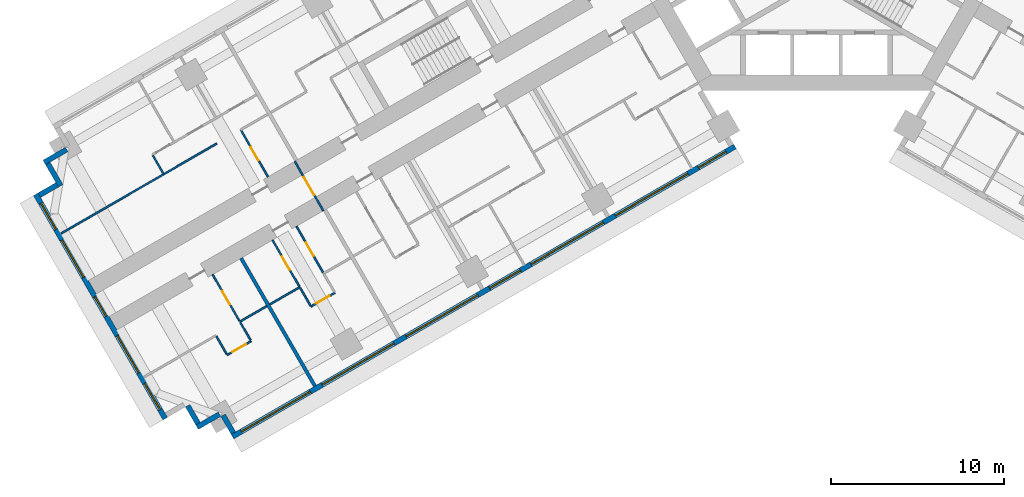
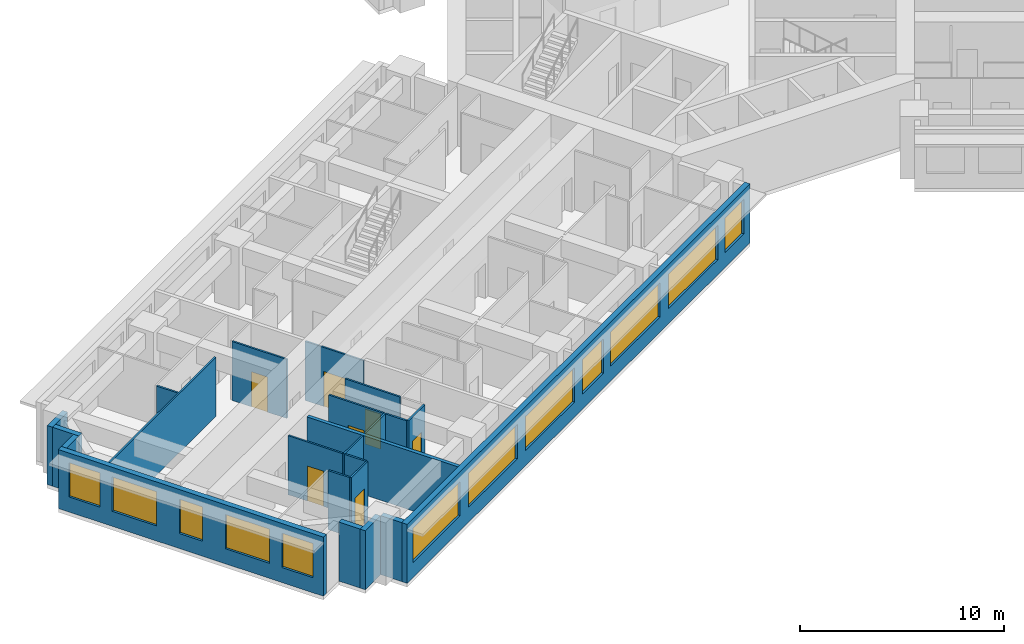
# One storey, part 3 of 16: 23 walls, 12 windows, 7 doors, 19 openings.
"""IFC4 building model written with IfcOpenShell, lengths in metres."""

import ifcopenshell
import ifcopenshell.guid

model = None  # the IFC model being written
_history = None  # IfcOwnerHistory: only IFC2X3 demands one
_inside = {}  # id of a spatial element -> (the spatial element, [elements in it])
_under = {}  # id of a project, library or spatial element -> (it, [spatial elements below it])
_declared = {}  # id of a project -> (the project, [libraries it declares])
_typed = {}  # id of a type object -> (the type object, [elements of that type])
_made_of = {}  # id of a material, layer set ... -> (it, [elements and type objects made of it])


def new_model(schema):
    """Start an empty IFC model of exactly this schema.

    Asked for "IFC4X3", IfcOpenShell would pick the latest addendum, in which some entities
    have other attributes; the version numbers below select the first issue.
    IFC2X3 requires an IfcOwnerHistory on every rooted entity: one is made here for all.
    """
    global model, _history
    if schema == "IFC4X3":
        model = ifcopenshell.file(schema_version=(4, 3, 0, 0))
    else:
        model = ifcopenshell.file(schema=schema)
    _inside.clear()
    _under.clear()
    _declared.clear()
    _typed.clear()
    _made_of.clear()
    _history = None
    if model.schema == "IFC2X3":
        org = make("IfcOrganization", Name="unknown")
        user = make(
            "IfcPersonAndOrganization",
            ThePerson=make("IfcPerson", FamilyName="unknown"),
            TheOrganization=org,
        )
        app = make(
            "IfcApplication",
            ApplicationDeveloper=org,
            Version="unknown",
            ApplicationFullName="unknown",
            ApplicationIdentifier="unknown",
        )
        _history = make(
            "IfcOwnerHistory",
            OwningUser=user,
            OwningApplication=app,
            ChangeAction="ADDED",
            CreationDate=0,
        )
    return model


def make(cls, **values):
    """One entity of the class cls with the attributes given. An attribute that is None is left unset."""
    return model.create_entity(
        cls, **{name: value for name, value in values.items() if value is not None}
    )


def rooted(cls, **values):
    """An entity with a GlobalId (a new one), such as an element, a storey or a relation."""
    return make(cls, GlobalId=ifcopenshell.guid.new(), OwnerHistory=_history, **values)


def si_unit(unit_type, name, prefix=None):
    """IfcSIUnit, for example si_unit("LENGTHUNIT", "METRE", prefix="MILLI")."""
    return make("IfcSIUnit", UnitType=unit_type, Prefix=prefix, Name=name)


def assignment(units):
    """IfcUnitAssignment: the units of a project."""
    return None if units is None else make("IfcUnitAssignment", Units=units)


def point(xyz):
    """IfcCartesianPoint."""
    return None if xyz is None else make("IfcCartesianPoint", Coordinates=xyz)


def direction(xyz):
    """IfcDirection."""
    return None if xyz is None else make("IfcDirection", DirectionRatios=xyz)


def frame(location, z_axis=None, x_axis=None):
    """IfcAxis2Placement3D, a coordinate frame: its origin and axes. An axis left out is left unset."""
    return make(
        "IfcAxis2Placement3D",
        Location=point(location),
        Axis=direction(z_axis),
        RefDirection=direction(x_axis),
    )


def frame_2d(location, x_axis=None):
    """IfcAxis2Placement2D, a coordinate frame in the plane: its origin and x axis."""
    return make(
        "IfcAxis2Placement2D", Location=point(location), RefDirection=direction(x_axis)
    )


def origin():
    """The frame at (0, 0, 0) with its axes left unset."""
    return frame((0.0, 0.0, 0.0))


def place(relative_to, where):
    """IfcLocalPlacement: puts the frame where relative to a parent placement (None: the world)."""
    return make(
        "IfcLocalPlacement", PlacementRelTo=relative_to, RelativePlacement=where
    )


def context(
    kind, dimensions, precision=None, world=None, true_north=None, identifier=None
):
    """IfcGeometricRepresentationContext, for example the 3D "Model" context."""
    return make(
        "IfcGeometricRepresentationContext",
        ContextIdentifier=identifier,
        ContextType=kind,
        CoordinateSpaceDimension=dimensions,
        Precision=precision,
        WorldCoordinateSystem=world,
        TrueNorth=true_north,
    )


def subcontext(parent, identifier, kind, view, scale=None):
    """IfcGeometricRepresentationSubContext, for example "Body" below "Model"."""
    return make(
        "IfcGeometricRepresentationSubContext",
        ContextIdentifier=identifier,
        ContextType=kind,
        ParentContext=parent,
        TargetScale=scale,
        TargetView=view,
    )


def project(units=None, contexts=None):
    """IfcProject with its units and contexts."""
    return rooted(
        "IfcProject",
        Name="project",
        RepresentationContexts=contexts,
        UnitsInContext=assignment(units),
    )


def spatial(cls, under=None, at=None, **own):
    """A site, building, storey or space (cls), placed at a placement, below another one or the project."""
    s = rooted(cls, ObjectPlacement=at, **own)
    if under is not None:
        _under.setdefault(under.id(), (under, []))[1].append(s)
    return s


def profile(cls, at=None, kind="AREA", **sizes):
    """A parametric profile (cls). Its sizes go by their IFC names, for example OverallWidth=200.0."""
    return make(cls, ProfileType=kind, Position=at, **sizes)


def rectangle(**sizes):
    """IfcRectangleProfileDef."""
    return profile("IfcRectangleProfileDef", **sizes)


def extrude(swept, where, along, depth):
    """IfcExtrudedAreaSolid: the profile swept, set in the frame where, extruded along a direction by depth."""
    return make(
        "IfcExtrudedAreaSolid",
        SweptArea=swept,
        Position=where,
        ExtrudedDirection=direction(along),
        Depth=depth,
    )


def shape(context_of_items, identifier, shape_type, items):
    """IfcShapeRepresentation: the items that make up one representation, for example the "Body"."""
    return make(
        "IfcShapeRepresentation",
        ContextOfItems=context_of_items,
        RepresentationIdentifier=identifier,
        RepresentationType=shape_type,
        Items=items,
    )


def material(Name=None, Category=None):
    """IfcMaterial."""
    return make("IfcMaterial", Name=Name, Category=Category)


def layer(
    of_material, thickness, ventilated=None, Name=None, Category=None, Priority=None
):
    """IfcMaterialLayer: one layer of a wall or slab, of a material (None: an air gap)."""
    return make(
        "IfcMaterialLayer",
        Material=of_material,
        LayerThickness=thickness,
        IsVentilated=ventilated,
        Name=Name,
        Category=Category,
        Priority=Priority,
    )


def layer_set(layers, Name=None):
    """IfcMaterialLayerSet."""
    return make("IfcMaterialLayerSet", MaterialLayers=layers, LayerSetName=Name)


def made_of(thing, what):
    """Note that an element or type object is made of a material, layer set ...; save() writes the relation."""
    if what is not None:
        _made_of.setdefault(what.id(), (what, []))[1].append(thing)
    return thing


def type_object(cls, material=None, **own):
    """A type object (cls), such as IfcWallType, which elements share."""
    return made_of(rooted(cls, **own), material)


def element(
    cls,
    number,
    at=None,
    inside=None,
    cuts=None,
    type_object=None,
    material=None,
    context=None,
    identifier="Body",
    shape_type=None,
    held_by="IfcProductDefinitionShape",
    body=None,
    shapes=None,
    **own,
):
    """One element of the class cls, such as IfcWall. Its Tag is "e" and its number.

    at: its placement. inside: the storey or other place that contains it. cuts: it is an
    opening in that element (IfcRelVoidsElement). A single representation is given by context,
    identifier, shape_type and body (its items); several are given by shapes. held_by: the class
    of the entity that holds the representations. save() writes the other relations.
    """
    e = rooted(cls, Tag="e%d" % number, ObjectPlacement=at, **own)
    if body is not None:
        shapes = [shape(context, identifier, shape_type, body)]
    if shapes is not None:
        e.Representation = make(held_by, Representations=shapes)
    if inside is not None:
        _inside.setdefault(inside.id(), (inside, []))[1].append(e)
    if cuts is not None:
        rooted(
            "IfcRelVoidsElement", RelatingBuildingElement=cuts, RelatedOpeningElement=e
        )
    if type_object is not None:
        _typed.setdefault(type_object.id(), (type_object, []))[1].append(e)
    return made_of(e, material)


def fill(opening, filler):
    """IfcRelFillsElement: the door or window that sits in an opening."""
    return rooted(
        "IfcRelFillsElement",
        RelatingOpeningElement=opening,
        RelatedBuildingElement=filler,
    )


def aggregate(whole, parts):
    """IfcRelAggregates: a whole, such as a stair, and the parts it consists of."""
    return rooted("IfcRelAggregates", RelatingObject=whole, RelatedObjects=parts)


def save(model, path):
    """Write the relations noted so far, then the file.

    IfcRelAggregates (storeys below a building ...), IfcRelContainedInSpatialStructure (elements
    in a storey), IfcRelDefinesByType, IfcRelAssociatesMaterial and IfcRelDeclares: one each for
    every whole, place, type object, material and project.
    """
    for whole, parts in _under.values():
        aggregate(whole, parts)
    for where, things in _inside.values():
        rooted(
            "IfcRelContainedInSpatialStructure",
            RelatedElements=things,
            RelatingStructure=where,
        )
    for kind, things in _typed.values():
        rooted("IfcRelDefinesByType", RelatedObjects=things, RelatingType=kind)
    for what, things in _made_of.values():
        rooted("IfcRelAssociatesMaterial", RelatedObjects=things, RelatingMaterial=what)
    for by, libraries in _declared.values():
        rooted("IfcRelDeclares", RelatingContext=by, RelatedDefinitions=libraries)
    model.write(path)


model = new_model("IFC4")

# Units and contexts
model_context = context("Model", 3, precision=1e-05, world=origin(), true_north=direction((0.0, 1.0)))
body_context = subcontext(model_context, "Body", "Model", "MODEL_VIEW")
ifc_project = project(units=[si_unit("LENGTHUNIT", "METRE"), si_unit("AREAUNIT", "SQUARE_METRE"), si_unit("VOLUMEUNIT", "CUBIC_METRE"), si_unit("PLANEANGLEUNIT", "RADIAN"), si_unit("MASSUNIT", "GRAM", prefix="KILO")], contexts=[model_context])

# Site, building, storey
site_placement = place(None, origin())
site = spatial("IfcSite", under=ifc_project, at=site_placement, CompositionType="ELEMENT")
building_placement = place(site_placement, origin())
building = spatial("IfcBuilding", under=site, at=building_placement, Name="Impinga Residences", CompositionType="ELEMENT")
storey_placement = place(building_placement, frame((0.0, 0.0, 74.75)))
storey = spatial("IfcBuildingStorey", under=building, at=storey_placement, Name="L18", CompositionType="ELEMENT", Elevation=74.75)

# Wall, opening, door
ifc_material_1 = material(Name="Concrete blockwork", Category="masonry")
ifc_layer_1 = layer(ifc_material_1, 0.10009765625)
ifc_layer_set_1 = layer_set([ifc_layer_1], Name="CP1 core room partition, blockwork 100")
wall_type_1 = type_object("IfcWallType", Name="CP1 core room partition, blockwork 100", PredefinedType="PARTITIONING", material=ifc_layer_set_1)
wall_1_placement = place(storey_placement, frame((-28.566162109375, -18.39794921875, 0.0), z_axis=(0.0, 0.0, 1.0), x_axis=(-0.499974350878, 0.866040211805, 0.0)))
wall_1 = element("IfcWall", 1, at=wall_1_placement, inside=storey, type_object=wall_type_1, Name="Core room partition, blockwork L18:W:SCR", PredefinedType="PARTITIONING", context=body_context, shape_type="SweptSolid", body=[
    extrude(rectangle(XDim=3.300048828125, YDim=0.10009765625, at=frame_2d((1.64990234375, 0.0))), origin(), (0.0, 0.0, 1.0), 3.530029296875),
])
opening_1_placement = place(wall_1_placement, frame((1.050048828125, 0.0, 0.0)))
opening_1 = element("IfcOpeningElement", 2, at=opening_1_placement, cuts=wall_1, Name="Opening D3", PredefinedType="OPENING", context=body_context, shape_type="SweptSolid", body=[
    extrude(rectangle(XDim=1.199951171875, YDim=2.10009765625, at=frame_2d((0.60009765625, 1.050048828125))), frame((0.0, 0.06005859375, 0.0), z_axis=(0.0, -1.0, 0.0), x_axis=(1.0, 0.0, 0.0)), (0.0, 0.0, 1.0), 0.1201171875),
])
ifc_material_2 = material(Name="Timber door set", Category="wood")
door_type_1 = type_object("IfcDoorType", Name="D3 room door, leaf and a half 1200x2100", OperationType="DOUBLE_SWING_LEFT", PredefinedType="DOOR", material=ifc_material_2)
door_1_placement = place(opening_1_placement, origin())
door_1 = element("IfcDoor", 3, at=door_1_placement, inside=storey, type_object=door_type_1, Name="Corridor smoke door W", OperationType="DOUBLE_SWING_LEFT", OverallHeight=2.10009765625, OverallWidth=1.199951171875, PredefinedType="DOOR", context=body_context, shape_type="SweptSolid", body=[
    extrude(rectangle(XDim=1.199951171875, YDim=2.10009765625, at=frame_2d((0.60009765625, 1.050048828125))), frame((0.0, 0.02490234375, 0.0), z_axis=(0.0, -1.0, 0.0), x_axis=(1.0, 0.0, 0.0)), (0.0, 0.0, 1.0), 0.050048828125),
])
fill(opening_1, door_1)

# Walls
ifc_material_3 = material(Name="Terracotta rainscreen on blockwork", Category="masonry")
ifc_layer_2 = layer(ifc_material_3, 0.300048828125)
ifc_layer_set_2 = layer_set([ifc_layer_2], Name="EW1 external wall, terracotta rainscreen on blockwork 300")
wall_type_2 = type_object("IfcWallType", Name="EW1 external wall, terracotta rainscreen on blockwork 300", PredefinedType="SOLIDWALL", material=ifc_layer_set_2)
wall_2_placement = place(storey_placement, frame((-33.7685546875, -31.274169921875, 0.0), z_axis=(0.0, 0.0, 1.0), x_axis=(-0.499940577336, 0.866059708757, 0.0)))
element("IfcWall", 4, at=wall_2_placement, inside=storey, type_object=wall_type_2, Name="External wall EW1 L18", PredefinedType="SOLIDWALL", context=body_context, shape_type="SweptSolid", body=[
    extrude(rectangle(XDim=1.195068359375, YDim=0.300048828125, at=frame_2d((0.59765625, 0.0))), origin(), (0.0, 0.0, 1.0), 3.530029296875),
])
wall_3_placement = place(storey_placement, frame((-34.573486328125, -30.18017578125, 0.0), z_axis=(0.0, 0.0, 1.0), x_axis=(-0.866031096941, -0.499990139034, 0.0)))
element("IfcWall", 5, at=wall_3_placement, inside=storey, type_object=wall_type_2, Name="External wall EW1 L18", PredefinedType="SOLIDWALL", context=body_context, shape_type="SweptSolid", body=[
    extrude(rectangle(XDim=1.5, YDim=0.300048828125, at=frame_2d((0.75, 0.0))), origin(), (0.0, 0.0, 1.0), 3.530029296875),
])
wall_4_placement = place(storey_placement, frame((-35.817626953125, -30.72509765625, 0.0), z_axis=(0.0, 0.0, 1.0), x_axis=(-0.499969057507, 0.866043267704, 0.0)))
element("IfcWall", 6, at=wall_4_placement, inside=storey, type_object=wall_type_2, Name="External wall EW1 L18", PredefinedType="SOLIDWALL", context=body_context, shape_type="SweptSolid", body=[
    extrude(rectangle(XDim=1.19970703125, YDim=0.300048828125, at=frame_2d((0.599853515625, 0.0))), origin(), (0.0, 0.0, 1.0), 3.530029296875),
])

# Wall, openings, windows
wall_5_placement = place(storey_placement, frame((-37.716552734375, -30.43603515625, 0.0), z_axis=(0.0, 0.0, 1.0), x_axis=(-0.499997186618, 0.866027028085, 0.0)))
wall_5 = element("IfcWall", 7, at=wall_5_placement, inside=storey, type_object=wall_type_2, Name="External wall EW1 L18", PredefinedType="SOLIDWALL", context=body_context, shape_type="SweptSolid", body=[
    extrude(rectangle(XDim=15.0, YDim=0.300048828125, at=frame_2d((7.5, 0.0))), origin(), (0.0, 0.0, 1.0), 3.530029296875),
])
opening_2_placement = place(wall_5_placement, frame((0.60009765625, 0.0, 0.89990234375)))
opening_2 = element("IfcOpeningElement", 8, at=opening_2_placement, cuts=wall_5, Name="Opening W1", PredefinedType="OPENING", context=body_context, shape_type="SweptSolid", body=[
    extrude(rectangle(XDim=1.75, YDim=2.050048828125, at=frame_2d((0.875, 1.02490234375))), frame((0.0, 0.159912109375, 0.0), z_axis=(0.0, -1.0, 0.0), x_axis=(1.0, 0.0, 0.0)), (0.0, 0.0, 1.0), 0.320068359375),
])
opening_3_placement = place(wall_5_placement, frame((3.050048828125, 0.0, 0.89990234375)))
opening_3 = element("IfcOpeningElement", 9, at=opening_3_placement, cuts=wall_5, Name="Opening W2", PredefinedType="OPENING", context=body_context, shape_type="SweptSolid", body=[
    extrude(rectangle(XDim=2.5, YDim=2.050048828125, at=frame_2d((1.25, 1.02490234375))), frame((0.0, 0.159912109375, 0.0), z_axis=(0.0, -1.0, 0.0), x_axis=(1.0, 0.0, 0.0)), (0.0, 0.0, 1.0), 0.320068359375),
])
opening_4_placement = place(wall_5_placement, frame((6.85009765625, 0.0, 0.89990234375)))
opening_4 = element("IfcOpeningElement", 10, at=opening_4_placement, cuts=wall_5, Name="Opening WE1", PredefinedType="OPENING", context=body_context, shape_type="SweptSolid", body=[
    extrude(rectangle(XDim=1.300048828125, YDim=2.050048828125, at=frame_2d((0.64990234375, 1.02490234375))), frame((0.0, 0.159912109375, 0.0), z_axis=(0.0, -1.0, 0.0), x_axis=(1.0, 0.0, 0.0)), (0.0, 0.0, 1.0), 0.320068359375),
])
opening_5_placement = place(wall_5_placement, frame((9.449951171875, 0.0, 0.89990234375)))
opening_5 = element("IfcOpeningElement", 11, at=opening_5_placement, cuts=wall_5, Name="Opening W2", PredefinedType="OPENING", context=body_context, shape_type="SweptSolid", body=[
    extrude(rectangle(XDim=2.5, YDim=2.050048828125, at=frame_2d((1.25, 1.02490234375))), frame((0.0, 0.159912109375, 0.0), z_axis=(0.0, -1.0, 0.0), x_axis=(1.0, 0.0, 0.0)), (0.0, 0.0, 1.0), 0.320068359375),
])
opening_6_placement = place(wall_5_placement, frame((12.64990234375, 0.0, 0.89990234375)))
opening_6 = element("IfcOpeningElement", 12, at=opening_6_placement, cuts=wall_5, Name="Opening W1", PredefinedType="OPENING", context=body_context, shape_type="SweptSolid", body=[
    extrude(rectangle(XDim=1.75, YDim=2.050048828125, at=frame_2d((0.875, 1.02490234375))), frame((0.0, 0.159912109375, 0.0), z_axis=(0.0, -1.0, 0.0), x_axis=(1.0, 0.0, 0.0)), (0.0, 0.0, 1.0), 0.320068359375),
])
ifc_material_4 = material(Name="Aluminium window, clear double glazing", Category="aluminium")
window_type_1 = type_object("IfcWindowType", Name="W1 ribbon window 1750x2050", PartitioningType="SINGLE_PANEL", PredefinedType="WINDOW", material=ifc_material_4)
window_1_placement = place(opening_2_placement, origin())
window_1 = element("IfcWindow", 13, at=window_1_placement, inside=storey, type_object=window_type_1, Name="Window L18", OverallHeight=2.050048828125, OverallWidth=1.75, PartitioningType="SINGLE_PANEL", PredefinedType="WINDOW", context=body_context, shape_type="SweptSolid", body=[
    extrude(rectangle(XDim=1.75, YDim=2.050048828125, at=frame_2d((0.875, 1.02490234375))), frame((0.0, 0.030029296875, 0.0), z_axis=(0.0, -1.0, 0.0), x_axis=(1.0, 0.0, 0.0)), (0.0, 0.0, 1.0), 0.06005859375),
])
fill(opening_2, window_1)
window_2_placement = place(opening_6_placement, origin())
window_2 = element("IfcWindow", 14, at=window_2_placement, inside=storey, type_object=window_type_1, Name="Window L18", OverallHeight=2.050048828125, OverallWidth=1.75, PartitioningType="SINGLE_PANEL", PredefinedType="WINDOW", context=body_context, shape_type="SweptSolid", body=[
    extrude(rectangle(XDim=1.75, YDim=2.050048828125, at=frame_2d((0.875, 1.02490234375))), frame((0.0, 0.030029296875, 0.0), z_axis=(0.0, -1.0, 0.0), x_axis=(1.0, 0.0, 0.0)), (0.0, 0.0, 1.0), 0.06005859375),
])
fill(opening_6, window_2)
window_type_2 = type_object("IfcWindowType", Name="W2 ribbon window 2500x2050", PartitioningType="SINGLE_PANEL", PredefinedType="WINDOW", material=ifc_material_4)
window_3_placement = place(opening_3_placement, origin())
window_3 = element("IfcWindow", 15, at=window_3_placement, inside=storey, type_object=window_type_2, Name="Window L18", OverallHeight=2.050048828125, OverallWidth=2.5, PartitioningType="SINGLE_PANEL", PredefinedType="WINDOW", context=body_context, shape_type="SweptSolid", body=[
    extrude(rectangle(XDim=2.5, YDim=2.050048828125, at=frame_2d((1.25, 1.02490234375))), frame((0.0, 0.030029296875, 0.0), z_axis=(0.0, -1.0, 0.0), x_axis=(1.0, 0.0, 0.0)), (0.0, 0.0, 1.0), 0.06005859375),
])
fill(opening_3, window_3)
window_4_placement = place(opening_5_placement, origin())
window_4 = element("IfcWindow", 16, at=window_4_placement, inside=storey, type_object=window_type_2, Name="Window L18", OverallHeight=2.050048828125, OverallWidth=2.5, PartitioningType="SINGLE_PANEL", PredefinedType="WINDOW", context=body_context, shape_type="SweptSolid", body=[
    extrude(rectangle(XDim=2.5, YDim=2.050048828125, at=frame_2d((1.25, 1.02490234375))), frame((0.0, 0.030029296875, 0.0), z_axis=(0.0, -1.0, 0.0), x_axis=(1.0, 0.0, 0.0)), (0.0, 0.0, 1.0), 0.06005859375),
])
fill(opening_5, window_4)
window_type_3 = type_object("IfcWindowType", Name="WE1 corridor window 1300x2050", PartitioningType="SINGLE_PANEL", PredefinedType="WINDOW", material=ifc_material_4)
window_5_placement = place(opening_4_placement, origin())
window_5 = element("IfcWindow", 17, at=window_5_placement, inside=storey, type_object=window_type_3, Name="Window L18", OverallHeight=2.050048828125, OverallWidth=1.300048828125, PartitioningType="SINGLE_PANEL", PredefinedType="WINDOW", context=body_context, shape_type="SweptSolid", body=[
    extrude(rectangle(XDim=1.300048828125, YDim=2.050048828125, at=frame_2d((0.64990234375, 1.02490234375))), frame((0.0, 0.030029296875, 0.0), z_axis=(0.0, -1.0, 0.0), x_axis=(1.0, 0.0, 0.0)), (0.0, 0.0, 1.0), 0.06005859375),
])
fill(opening_4, window_5)

# Walls
wall_6_placement = place(storey_placement, frame((-45.01171875, -17.50048828125, 0.0), z_axis=(0.0, 0.0, 1.0), x_axis=(0.866059708757, 0.499940577336, 0.0)))
element("IfcWall", 18, at=wall_6_placement, inside=storey, type_object=wall_type_2, Name="External wall EW1 L18", PredefinedType="SOLIDWALL", context=body_context, shape_type="SweptSolid", body=[
    extrude(rectangle(XDim=1.195068359375, YDim=0.300048828125, at=frame_2d((0.59765625, 0.0))), origin(), (0.0, 0.0, 1.0), 3.530029296875),
])
for number, where, z_axis, x_axis, name in (
    (19, (-43.767578125, -16.955322265625, 0.0), (0.0, 0.0, 1.0), (-0.499990139034, 0.866031096941, 0.0), "External wall EW1 L18"),
    (20, (-44.722412109375, -15.6015625, 0.0), (0.0, 0.0, 1.0), (0.866031096941, 0.499990139034, 0.0), "External wall EW1 L18"),
):
    element("IfcWall", number, at=place(storey_placement, frame(where, z_axis=z_axis, x_axis=x_axis)), inside=storey, type_object=wall_type_2, Name=name, PredefinedType="SOLIDWALL", context=body_context, shape_type="SweptSolid", body=[
        extrude(rectangle(XDim=1.5, YDim=0.300048828125, at=frame_2d((0.75, 0.0))), origin(), (0.0, 0.0, 1.0), 3.530029296875),
    ])

# Wall, openings, windows
wall_7_placement = place(storey_placement, frame((-4.72509765625, -14.67919921875, 0.0), z_axis=(0.0, 0.0, 1.0), x_axis=(-0.866024291668, -0.500001926238, 0.0)))
wall_7 = element("IfcWall", 21, at=wall_7_placement, inside=storey, type_object=wall_type_2, Name="External wall EW1 L18", PredefinedType="SOLIDWALL", context=body_context, shape_type="SweptSolid", body=[
    extrude(rectangle(XDim=33.599853515625, YDim=0.300048828125, at=frame_2d((16.7998046875, 0.0))), origin(), (0.0, 0.0, 1.0), 3.530029296875),
])
opening_7_placement = place(wall_7_placement, frame((0.60009765625, 0.0, 0.89990234375)))
opening_7 = element("IfcOpeningElement", 22, at=opening_7_placement, cuts=wall_7, Name="Opening W15", PredefinedType="OPENING", context=body_context, shape_type="SweptSolid", body=[
    extrude(rectangle(XDim=1.85009765625, YDim=2.050048828125, at=frame_2d((0.925048828125, 1.02490234375))), frame((0.0, 0.159912109375, 0.0), z_axis=(0.0, -1.0, 0.0), x_axis=(1.0, 0.0, 0.0)), (0.0, 0.0, 1.0), 0.320068359375),
])
opening_8_placement = place(wall_7_placement, frame((3.14990234375, 0.0, 0.89990234375)))
opening_8 = element("IfcOpeningElement", 23, at=opening_8_placement, cuts=wall_7, Name="Opening W6", PredefinedType="OPENING", context=body_context, shape_type="SweptSolid", body=[
    extrude(rectangle(XDim=4.85009765625, YDim=2.050048828125, at=frame_2d((2.425048828125, 1.02490234375))), frame((0.0, 0.159912109375, 0.0), z_axis=(0.0, -1.0, 0.0), x_axis=(1.0, 0.0, 0.0)), (0.0, 0.0, 1.0), 0.320068359375),
])
opening_9_placement = place(wall_7_placement, frame((8.800048828125, 0.0, 0.89990234375)))
opening_9 = element("IfcOpeningElement", 24, at=opening_9_placement, cuts=wall_7, Name="Opening W6", PredefinedType="OPENING", context=body_context, shape_type="SweptSolid", body=[
    extrude(rectangle(XDim=4.85009765625, YDim=2.050048828125, at=frame_2d((2.425048828125, 1.02490234375))), frame((0.0, 0.159912109375, 0.0), z_axis=(0.0, -1.0, 0.0), x_axis=(1.0, 0.0, 0.0)), (0.0, 0.0, 1.0), 0.320068359375),
])
opening_10_placement = place(wall_7_placement, frame((14.35009765625, 0.0, 0.89990234375)))
opening_10 = element("IfcOpeningElement", 25, at=opening_10_placement, cuts=wall_7, Name="Opening W14", PredefinedType="OPENING", context=body_context, shape_type="SweptSolid", body=[
    extrude(rectangle(XDim=2.050048828125, YDim=2.050048828125, at=frame_2d((1.02490234375, 1.02490234375))), frame((0.0, 0.159912109375, 0.0), z_axis=(0.0, -1.0, 0.0), x_axis=(1.0, 0.0, 0.0)), (0.0, 0.0, 1.0), 0.320068359375),
])
opening_11_placement = place(wall_7_placement, frame((17.199951171875, 0.0, 0.89990234375)))
opening_11 = element("IfcOpeningElement", 26, at=opening_11_placement, cuts=wall_7, Name="Opening W8", PredefinedType="OPENING", context=body_context, shape_type="SweptSolid", body=[
    extrude(rectangle(XDim=4.800048828125, YDim=2.050048828125, at=frame_2d((2.39990234375, 1.02490234375))), frame((0.0, 0.159912109375, 0.0), z_axis=(0.0, -1.0, 0.0), x_axis=(1.0, 0.0, 0.0)), (0.0, 0.0, 1.0), 0.320068359375),
])
opening_12_placement = place(wall_7_placement, frame((22.800048828125, 0.0, 0.89990234375)))
opening_12 = element("IfcOpeningElement", 27, at=opening_12_placement, cuts=wall_7, Name="Opening W8", PredefinedType="OPENING", context=body_context, shape_type="SweptSolid", body=[
    extrude(rectangle(XDim=4.800048828125, YDim=2.050048828125, at=frame_2d((2.39990234375, 1.02490234375))), frame((0.0, 0.159912109375, 0.0), z_axis=(0.0, -1.0, 0.0), x_axis=(1.0, 0.0, 0.0)), (0.0, 0.0, 1.0), 0.320068359375),
])
opening_13_placement = place(wall_7_placement, frame((28.39990234375, 0.0, 0.89990234375)))
opening_13 = element("IfcOpeningElement", 28, at=opening_13_placement, cuts=wall_7, Name="Opening W3", PredefinedType="OPENING", context=body_context, shape_type="SweptSolid", body=[
    extrude(rectangle(XDim=4.60009765625, YDim=2.050048828125, at=frame_2d((2.300048828125, 1.02490234375))), frame((0.0, 0.159912109375, 0.0), z_axis=(0.0, -1.0, 0.0), x_axis=(1.0, 0.0, 0.0)), (0.0, 0.0, 1.0), 0.320068359375),
])
window_type_4 = type_object("IfcWindowType", Name="W14 ribbon window 2050x2050", PartitioningType="SINGLE_PANEL", PredefinedType="WINDOW", material=ifc_material_4)
window_6_placement = place(opening_10_placement, origin())
window_6 = element("IfcWindow", 29, at=window_6_placement, inside=storey, type_object=window_type_4, Name="Window L18", OverallHeight=2.050048828125, OverallWidth=2.050048828125, PartitioningType="SINGLE_PANEL", PredefinedType="WINDOW", context=body_context, shape_type="SweptSolid", body=[
    extrude(rectangle(XDim=2.050048828125, YDim=2.050048828125, at=frame_2d((1.02490234375, 1.02490234375))), frame((0.0, 0.030029296875, 0.0), z_axis=(0.0, -1.0, 0.0), x_axis=(1.0, 0.0, 0.0)), (0.0, 0.0, 1.0), 0.06005859375),
])
fill(opening_10, window_6)
window_type_5 = type_object("IfcWindowType", Name="W15 ribbon window 1850x2050", PartitioningType="SINGLE_PANEL", PredefinedType="WINDOW", material=ifc_material_4)
window_7_placement = place(opening_7_placement, origin())
window_7 = element("IfcWindow", 30, at=window_7_placement, inside=storey, type_object=window_type_5, Name="Window L18", OverallHeight=2.050048828125, OverallWidth=1.85009765625, PartitioningType="SINGLE_PANEL", PredefinedType="WINDOW", context=body_context, shape_type="SweptSolid", body=[
    extrude(rectangle(XDim=1.85009765625, YDim=2.050048828125, at=frame_2d((0.925048828125, 1.02490234375))), frame((0.0, 0.030029296875, 0.0), z_axis=(0.0, -1.0, 0.0), x_axis=(1.0, 0.0, 0.0)), (0.0, 0.0, 1.0), 0.06005859375),
])
fill(opening_7, window_7)
window_type_6 = type_object("IfcWindowType", Name="W3 ribbon window 4600x2050", PartitioningType="SINGLE_PANEL", PredefinedType="WINDOW", material=ifc_material_4)
window_8_placement = place(opening_13_placement, origin())
window_8 = element("IfcWindow", 31, at=window_8_placement, inside=storey, type_object=window_type_6, Name="Window L18", OverallHeight=2.050048828125, OverallWidth=4.60009765625, PartitioningType="SINGLE_PANEL", PredefinedType="WINDOW", context=body_context, shape_type="SweptSolid", body=[
    extrude(rectangle(XDim=4.60009765625, YDim=2.050048828125, at=frame_2d((2.300048828125, 1.02490234375))), frame((0.0, 0.030029296875, 0.0), z_axis=(0.0, -1.0, 0.0), x_axis=(1.0, 0.0, 0.0)), (0.0, 0.0, 1.0), 0.06005859375),
])
fill(opening_13, window_8)
window_type_7 = type_object("IfcWindowType", Name="W6 ribbon window 4850x2050", PartitioningType="SINGLE_PANEL", PredefinedType="WINDOW", material=ifc_material_4)
window_9_placement = place(opening_8_placement, origin())
window_9 = element("IfcWindow", 32, at=window_9_placement, inside=storey, type_object=window_type_7, Name="Window L18", OverallHeight=2.050048828125, OverallWidth=4.85009765625, PartitioningType="SINGLE_PANEL", PredefinedType="WINDOW", context=body_context, shape_type="SweptSolid", body=[
    extrude(rectangle(XDim=4.85009765625, YDim=2.050048828125, at=frame_2d((2.425048828125, 1.02490234375))), frame((0.0, 0.030029296875, 0.0), z_axis=(0.0, -1.0, 0.0), x_axis=(1.0, 0.0, 0.0)), (0.0, 0.0, 1.0), 0.06005859375),
])
fill(opening_8, window_9)
window_10_placement = place(opening_9_placement, origin())
window_10 = element("IfcWindow", 33, at=window_10_placement, inside=storey, type_object=window_type_7, Name="Window L18", OverallHeight=2.050048828125, OverallWidth=4.85009765625, PartitioningType="SINGLE_PANEL", PredefinedType="WINDOW", context=body_context, shape_type="SweptSolid", body=[
    extrude(rectangle(XDim=4.85009765625, YDim=2.050048828125, at=frame_2d((2.425048828125, 1.02490234375))), frame((0.0, 0.030029296875, 0.0), z_axis=(0.0, -1.0, 0.0), x_axis=(1.0, 0.0, 0.0)), (0.0, 0.0, 1.0), 0.06005859375),
])
fill(opening_9, window_10)
window_type_8 = type_object("IfcWindowType", Name="W8 ribbon window 4800x2050", PartitioningType="SINGLE_PANEL", PredefinedType="WINDOW", material=ifc_material_4)
window_11_placement = place(opening_11_placement, origin())
window_11 = element("IfcWindow", 34, at=window_11_placement, inside=storey, type_object=window_type_8, Name="Window L18", OverallHeight=2.050048828125, OverallWidth=4.800048828125, PartitioningType="SINGLE_PANEL", PredefinedType="WINDOW", context=body_context, shape_type="SweptSolid", body=[
    extrude(rectangle(XDim=4.800048828125, YDim=2.050048828125, at=frame_2d((2.39990234375, 1.02490234375))), frame((0.0, 0.030029296875, 0.0), z_axis=(0.0, -1.0, 0.0), x_axis=(1.0, 0.0, 0.0)), (0.0, 0.0, 1.0), 0.06005859375),
])
fill(opening_11, window_11)
window_12_placement = place(opening_12_placement, origin())
window_12 = element("IfcWindow", 35, at=window_12_placement, inside=storey, type_object=window_type_8, Name="Window L18", OverallHeight=2.050048828125, OverallWidth=4.800048828125, PartitioningType="SINGLE_PANEL", PredefinedType="WINDOW", context=body_context, shape_type="SweptSolid", body=[
    extrude(rectangle(XDim=4.800048828125, YDim=2.050048828125, at=frame_2d((2.39990234375, 1.02490234375))), frame((0.0, 0.030029296875, 0.0), z_axis=(0.0, -1.0, 0.0), x_axis=(1.0, 0.0, 0.0)), (0.0, 0.0, 1.0), 0.06005859375),
])
fill(opening_12, window_12)

# Wall
ifc_material_5 = material(Name="Gypsum board on steel studs", Category="steel")
ifc_layer_3 = layer(ifc_material_5, 0.10009765625)
ifc_layer_set_3 = layer_set([ifc_layer_3], Name="Gypsum board on steel studs")
wall_type_3 = type_object("IfcWallType", Name="IP1 partition 100", PredefinedType="PARTITIONING", material=ifc_layer_set_3)
wall_8_placement = place(storey_placement, frame((-29.93017578125, -22.82275390625, 0.0), z_axis=(0.0, 0.0, 1.0), x_axis=(-0.866010750942, -0.50002537861, 0.0)))
element("IfcWall", 36, at=wall_8_placement, inside=storey, type_object=wall_type_3, Name="Partition L18-WA4:DIV1", PredefinedType="PARTITIONING", context=body_context, shape_type="SweptSolid", body=[
    extrude(rectangle(XDim=2.0, YDim=0.10009765625, at=frame_2d((1.0, 0.0))), origin(), (0.0, 0.0, 1.0), 3.530029296875),
])

# Wall, opening, door
wall_9_placement = place(storey_placement, frame((-27.89453125, -23.1484375, 0.0), z_axis=(0.0, 0.0, 1.0), x_axis=(-0.865989903783, -0.500061482766, 0.0)))
wall_9 = element("IfcWall", 37, at=wall_9_placement, inside=storey, type_object=wall_type_3, Name="Partition L18-WA4:STRIP", PredefinedType="PARTITIONING", context=body_context, shape_type="SweptSolid", body=[
    extrude(rectangle(XDim=1.599853515625, YDim=0.10009765625, at=frame_2d((0.7998046875, 0.0))), origin(), (0.0, 0.0, 1.0), 3.530029296875),
])
opening_14_placement = place(wall_9_placement, frame((0.35009765625, 0.0, 0.0)))
opening_14 = element("IfcOpeningElement", 38, at=opening_14_placement, cuts=wall_9, Name="Opening D2", PredefinedType="OPENING", context=body_context, shape_type="SweptSolid", body=[
    extrude(rectangle(XDim=0.89990234375, YDim=2.10009765625, at=frame_2d((0.449951171875, 1.050048828125))), frame((0.0, 0.06005859375, 0.0), z_axis=(0.0, -1.0, 0.0), x_axis=(1.0, 0.0, 0.0)), (0.0, 0.0, 1.0), 0.1201171875),
])
door_type_2 = type_object("IfcDoorType", Name="D2 internal door 900x2100", OperationType="SINGLE_SWING_LEFT", PredefinedType="DOOR", material=ifc_material_2)
door_2_placement = place(opening_14_placement, origin())
door_2 = element("IfcDoor", 39, at=door_2_placement, inside=storey, type_object=door_type_2, Name="Apartment L18-WA4 room door", OperationType="SINGLE_SWING_LEFT", OverallHeight=2.10009765625, OverallWidth=0.89990234375, PredefinedType="DOOR", context=body_context, shape_type="SweptSolid", body=[
    extrude(rectangle(XDim=0.89990234375, YDim=2.10009765625, at=frame_2d((0.449951171875, 1.050048828125))), frame((0.0, 0.02490234375, 0.0), z_axis=(0.0, -1.0, 0.0), x_axis=(1.0, 0.0, 0.0)), (0.0, 0.0, 1.0), 0.050048828125),
])
fill(opening_14, door_2)

# Wall
wall_10_placement = place(storey_placement, frame((-29.905029296875, -22.865966796875, 0.0), z_axis=(0.0, 0.0, 1.0), x_axis=(0.499880961361, -0.866094119867, 0.0)))
element("IfcWall", 40, at=wall_10_placement, inside=storey, type_object=wall_type_3, Name="Partition L18-WA4:SE1", PredefinedType="PARTITIONING", context=body_context, shape_type="SweptSolid", body=[
    extrude(rectangle(XDim=1.199951171875, YDim=0.10009765625, at=frame_2d((0.60009765625, 0.0))), origin(), (0.0, 0.0, 1.0), 3.530029296875),
])

# Wall, opening, door
wall_11_placement = place(storey_placement, frame((-30.119384765625, -19.294677734375, 0.0), z_axis=(0.0, 0.0, 1.0), x_axis=(0.49999285859, -0.86602952684, 0.0)))
wall_11 = element("IfcWall", 41, at=wall_11_placement, inside=storey, type_object=wall_type_3, Name="Partition L18-WA4:IB1", PredefinedType="PARTITIONING", context=body_context, shape_type="SweptSolid", body=[
    extrude(rectangle(XDim=3.10009765625, YDim=0.10009765625, at=frame_2d((1.550048828125, 0.0))), origin(), (0.0, 0.0, 1.0), 3.530029296875),
])
opening_15_placement = place(wall_11_placement, frame((1.10009765625, 0.0, 0.0)))
opening_15 = element("IfcOpeningElement", 42, at=opening_15_placement, cuts=wall_11, Name="Opening D2", PredefinedType="OPENING", context=body_context, shape_type="SweptSolid", body=[
    extrude(rectangle(XDim=0.89990234375, YDim=2.10009765625, at=frame_2d((0.449951171875, 1.050048828125))), frame((0.0, 0.06005859375, 0.0), z_axis=(0.0, -1.0, 0.0), x_axis=(1.0, 0.0, 0.0)), (0.0, 0.0, 1.0), 0.1201171875),
])
door_3_placement = place(opening_15_placement, origin())
door_3 = element("IfcDoor", 43, at=door_3_placement, inside=storey, type_object=door_type_2, Name="Apartment L18-WA4 bathroom door", OperationType="SINGLE_SWING_LEFT", OverallHeight=2.10009765625, OverallWidth=0.89990234375, PredefinedType="DOOR", context=body_context, shape_type="SweptSolid", body=[
    extrude(rectangle(XDim=0.89990234375, YDim=2.10009765625, at=frame_2d((0.449951171875, 1.050048828125))), frame((0.0, 0.02490234375, 0.0), z_axis=(0.0, -1.0, 0.0), x_axis=(1.0, 0.0, 0.0)), (0.0, 0.0, 1.0), 0.050048828125),
])
fill(opening_15, door_3)

wall_12_placement = place(storey_placement, frame((-31.505126953125, -20.0947265625, 0.0), z_axis=(0.0, 0.0, 1.0), x_axis=(0.500026960575, -0.86600983753, 0.0)))
wall_12 = element("IfcWall", 44, at=wall_12_placement, inside=storey, type_object=wall_type_3, Name="Partition L18-WA4:IB2", PredefinedType="PARTITIONING", context=body_context, shape_type="SweptSolid", body=[
    extrude(rectangle(XDim=3.099853515625, YDim=0.10009765625, at=frame_2d((1.5498046875, 0.0))), origin(), (0.0, 0.0, 1.0), 3.530029296875),
])
opening_16_placement = place(wall_12_placement, frame((1.10009765625, 0.0, 0.0)))
opening_16 = element("IfcOpeningElement", 45, at=opening_16_placement, cuts=wall_12, Name="Opening D2", PredefinedType="OPENING", context=body_context, shape_type="SweptSolid", body=[
    extrude(rectangle(XDim=0.89990234375, YDim=2.10009765625, at=frame_2d((0.449951171875, 1.050048828125))), frame((0.0, 0.06005859375, 0.0), z_axis=(0.0, -1.0, 0.0), x_axis=(1.0, 0.0, 0.0)), (0.0, 0.0, 1.0), 0.1201171875),
])
door_4_placement = place(opening_16_placement, origin())
door_4 = element("IfcDoor", 46, at=door_4_placement, inside=storey, type_object=door_type_2, Name="Apartment L18-WA4 WC door", OperationType="SINGLE_SWING_LEFT", OverallHeight=2.10009765625, OverallWidth=0.89990234375, PredefinedType="DOOR", context=body_context, shape_type="SweptSolid", body=[
    extrude(rectangle(XDim=0.89990234375, YDim=2.10009765625, at=frame_2d((0.449951171875, 1.050048828125))), frame((0.0, 0.02490234375, 0.0), z_axis=(0.0, -1.0, 0.0), x_axis=(1.0, 0.0, 0.0)), (0.0, 0.0, 1.0), 0.050048828125),
])
fill(opening_16, door_4)

# Wall
wall_13_placement = place(storey_placement, frame((-31.835205078125, -23.922607421875, 0.0), z_axis=(0.0, 0.0, 1.0), x_axis=(-0.865989075817, -0.500062916607, 0.0)))
element("IfcWall", 47, at=wall_13_placement, inside=storey, type_object=wall_type_3, Name="Partition L18-WA5:DIV0", PredefinedType="PARTITIONING", context=body_context, shape_type="SweptSolid", body=[
    extrude(rectangle(XDim=1.800048828125, YDim=0.10009765625, at=frame_2d((0.89990234375, 0.0))), origin(), (0.0, 0.0, 1.0), 3.530029296875),
])

# Wall, opening, door
wall_14_placement = place(storey_placement, frame((-32.744140625, -25.948486328125, 0.0), z_axis=(0.0, 0.0, 1.0), x_axis=(-0.866028054938, -0.499995408039, 0.0)))
wall_14 = element("IfcWall", 48, at=wall_14_placement, inside=storey, type_object=wall_type_3, Name="Partition L18-WA5:STRIP", PredefinedType="PARTITIONING", context=body_context, shape_type="SweptSolid", body=[
    extrude(rectangle(XDim=1.60009765625, YDim=0.10009765625, at=frame_2d((0.800048828125, 0.0))), origin(), (0.0, 0.0, 1.0), 3.530029296875),
])
opening_17_placement = place(wall_14_placement, frame((0.35009765625, 0.0, 0.0)))
opening_17 = element("IfcOpeningElement", 49, at=opening_17_placement, cuts=wall_14, Name="Opening D2", PredefinedType="OPENING", context=body_context, shape_type="SweptSolid", body=[
    extrude(rectangle(XDim=0.89990234375, YDim=2.10009765625, at=frame_2d((0.449951171875, 1.050048828125))), frame((0.0, 0.06005859375, 0.0), z_axis=(0.0, -1.0, 0.0), x_axis=(1.0, 0.0, 0.0)), (0.0, 0.0, 1.0), 0.1201171875),
])
door_5_placement = place(opening_17_placement, origin())
door_5 = element("IfcDoor", 50, at=door_5_placement, inside=storey, type_object=door_type_2, Name="Apartment L18-WA5 room door", OperationType="SINGLE_SWING_LEFT", OverallHeight=2.10009765625, OverallWidth=0.89990234375, PredefinedType="DOOR", context=body_context, shape_type="SweptSolid", body=[
    extrude(rectangle(XDim=0.89990234375, YDim=2.10009765625, at=frame_2d((0.449951171875, 1.050048828125))), frame((0.0, 0.02490234375, 0.0), z_axis=(0.0, -1.0, 0.0), x_axis=(1.0, 0.0, 0.0)), (0.0, 0.0, 1.0), 0.050048828125),
])
fill(opening_17, door_5)

# Walls
for number, where, z_axis, x_axis, name in (
    (51, (-33.369140625, -24.865966796875, 0.0), (0.0, 0.0, 1.0), (0.500033551112, -0.866006032174, 0.0), "Partition L18-WA5:SE0"),
    (52, (-34.7548828125, -25.666015625, 0.0), (0.0, 0.0, 1.0), (0.500033551112, -0.866006032174, 0.0), "Partition L18-WA5:SE1"),
):
    element("IfcWall", number, at=place(storey_placement, frame(where, z_axis=z_axis, x_axis=x_axis)), inside=storey, type_object=wall_type_3, Name=name, PredefinedType="PARTITIONING", context=body_context, shape_type="SweptSolid", body=[
        extrude(rectangle(XDim=1.2001953125, YDim=0.10009765625, at=frame_2d((0.60009765625, 0.0))), origin(), (0.0, 0.0, 1.0), 3.530029296875),
    ])

# Wall, opening, door
wall_15_placement = place(storey_placement, frame((-34.96923828125, -22.0947265625, 0.0), z_axis=(0.0, 0.0, 1.0), x_axis=(0.500026960575, -0.86600983753, 0.0)))
wall_15 = element("IfcWall", 53, at=wall_15_placement, inside=storey, type_object=wall_type_3, Name="Partition L18-WA5:IB1", PredefinedType="PARTITIONING", context=body_context, shape_type="SweptSolid", body=[
    extrude(rectangle(XDim=3.099853515625, YDim=0.10009765625, at=frame_2d((1.5498046875, 0.0))), origin(), (0.0, 0.0, 1.0), 3.530029296875),
])
opening_18_placement = place(wall_15_placement, frame((1.10009765625, 0.0, 0.0)))
opening_18 = element("IfcOpeningElement", 54, at=opening_18_placement, cuts=wall_15, Name="Opening D2", PredefinedType="OPENING", context=body_context, shape_type="SweptSolid", body=[
    extrude(rectangle(XDim=0.89990234375, YDim=2.10009765625, at=frame_2d((0.449951171875, 1.050048828125))), frame((0.0, 0.06005859375, 0.0), z_axis=(0.0, -1.0, 0.0), x_axis=(1.0, 0.0, 0.0)), (0.0, 0.0, 1.0), 0.1201171875),
])
door_6_placement = place(opening_18_placement, origin())
door_6 = element("IfcDoor", 55, at=door_6_placement, inside=storey, type_object=door_type_2, Name="Apartment L18-WA5 bathroom door", OperationType="SINGLE_SWING_LEFT", OverallHeight=2.10009765625, OverallWidth=0.89990234375, PredefinedType="DOOR", context=body_context, shape_type="SweptSolid", body=[
    extrude(rectangle(XDim=0.89990234375, YDim=2.10009765625, at=frame_2d((0.449951171875, 1.050048828125))), frame((0.0, 0.02490234375, 0.0), z_axis=(0.0, -1.0, 0.0), x_axis=(1.0, 0.0, 0.0)), (0.0, 0.0, 1.0), 0.050048828125),
])
fill(opening_18, door_6)

# Walls
wall_16_placement = place(storey_placement, frame((-34.72998046875, -14.5087890625, 0.0), z_axis=(0.0, 0.0, 1.0), x_axis=(-0.866031564966, -0.499989328369, 0.0)))
element("IfcWall", 56, at=wall_16_placement, inside=storey, type_object=wall_type_3, Name="Partition L18-WF3:DIV1", PredefinedType="PARTITIONING", context=body_context, shape_type="SweptSolid", body=[
    extrude(rectangle(XDim=10.400146484375, YDim=0.10009765625, at=frame_2d((5.2001953125, 0.0))), origin(), (0.0, 0.0, 1.0), 3.530029296875),
])
wall_17_placement = place(storey_placement, frame((-37.829345703125, -16.240478515625, 0.0), z_axis=(0.0, 0.0, 1.0), x_axis=(-0.50012165622, 0.865955154139, 0.0)))
element("IfcWall", 57, at=wall_17_placement, inside=storey, type_object=wall_type_3, Name="Partition L18-WF3:SE1", PredefinedType="PARTITIONING", context=body_context, shape_type="SweptSolid", body=[
    extrude(rectangle(XDim=1.199951171875, YDim=0.10009765625, at=frame_2d((0.60009765625, 0.0))), origin(), (0.0, 0.0, 1.0), 3.530029296875),
])

# Wall, opening, door
wall_18_placement = place(storey_placement, frame((-31.76953125, -16.436767578125, 0.0), z_axis=(0.0, 0.0, 1.0), x_axis=(-0.499967891604, 0.866043940782, 0.0)))
wall_18 = element("IfcWall", 58, at=wall_18_placement, inside=storey, type_object=wall_type_3, Name="Partition L18-WF3:IB1", PredefinedType="PARTITIONING", context=body_context, shape_type="SweptSolid", body=[
    extrude(rectangle(XDim=3.099853515625, YDim=0.10009765625, at=frame_2d((1.5498046875, 0.0))), origin(), (0.0, 0.0, 1.0), 3.530029296875),
])
opening_19_placement = place(wall_18_placement, frame((1.10009765625, 0.0, 0.0)))
opening_19 = element("IfcOpeningElement", 59, at=opening_19_placement, cuts=wall_18, Name="Opening D2", PredefinedType="OPENING", context=body_context, shape_type="SweptSolid", body=[
    extrude(rectangle(XDim=0.89990234375, YDim=2.10009765625, at=frame_2d((0.449951171875, 1.050048828125))), frame((0.0, 0.06005859375, 0.0), z_axis=(0.0, -1.0, 0.0), x_axis=(1.0, 0.0, 0.0)), (0.0, 0.0, 1.0), 0.1201171875),
])
door_7_placement = place(opening_19_placement, origin())
door_7 = element("IfcDoor", 60, at=door_7_placement, inside=storey, type_object=door_type_2, Name="Apartment L18-WF3 bathroom door", OperationType="SINGLE_SWING_LEFT", OverallHeight=2.10009765625, OverallWidth=0.89990234375, PredefinedType="DOOR", context=body_context, shape_type="SweptSolid", body=[
    extrude(rectangle(XDim=0.89990234375, YDim=2.10009765625, at=frame_2d((0.449951171875, 1.050048828125))), frame((0.0, 0.02490234375, 0.0), z_axis=(0.0, -1.0, 0.0), x_axis=(1.0, 0.0, 0.0)), (0.0, 0.0, 1.0), 0.050048828125),
])
fill(opening_19, door_7)

# Wall
ifc_layer_4 = layer(ifc_material_1, 0.199951171875)
ifc_layer_set_4 = layer_set([ifc_layer_4], Name="PW1 party wall between apartments 200")
wall_type_4 = type_object("IfcWallType", Name="PW1 party wall between apartments 200", PredefinedType="SOLIDWALL", material=ifc_layer_set_4)
wall_19_placement = place(storey_placement, frame((-33.32373046875, -21.144775390625, 0.0), z_axis=(0.0, 0.0, 1.0), x_axis=(0.499990227581, -0.86603104582, 0.0)))
element("IfcWall", 61, at=wall_19_placement, inside=storey, type_object=wall_type_4, Name="Party wall between apartments L18-WA4:PARTY", PredefinedType="SOLIDWALL", context=body_context, shape_type="SweptSolid", body=[
    extrude(rectangle(XDim=8.550048828125, YDim=0.199951171875, at=frame_2d((4.27490234375, 0.0))), origin(), (0.0, 0.0, 1.0), 3.530029296875),
])

save(model, "model.ifc")
